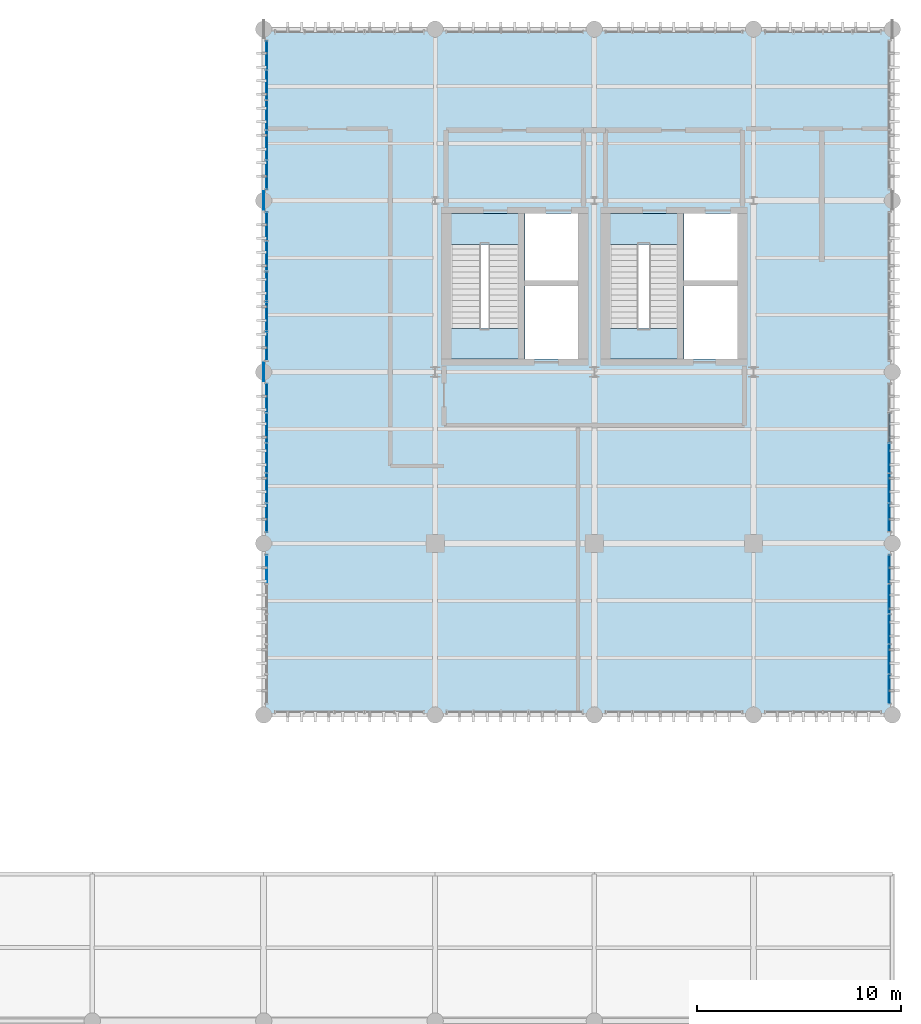
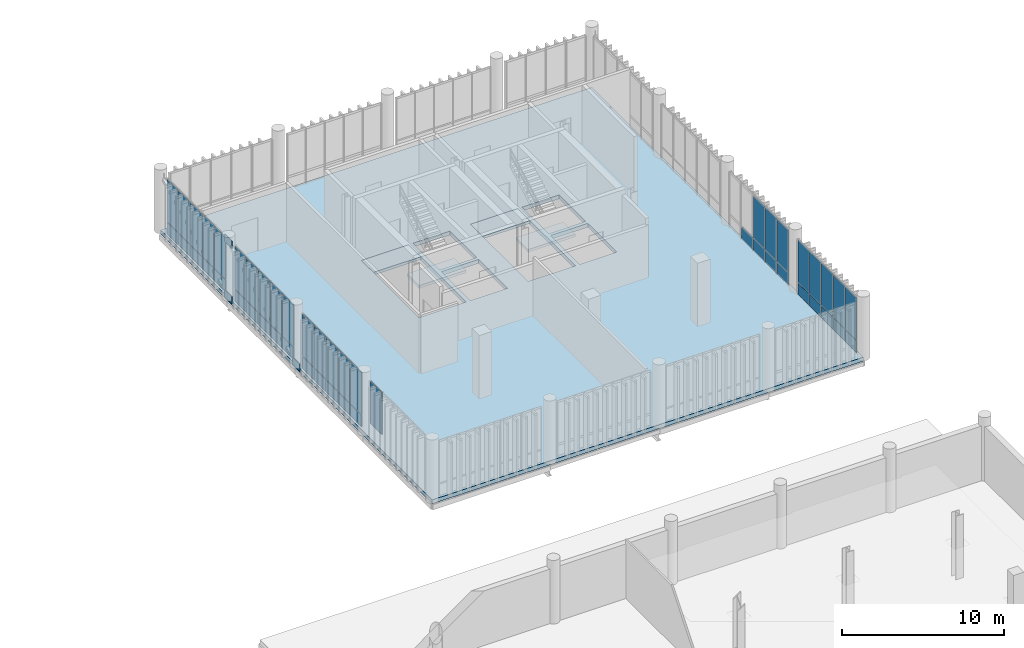
# One storey, part 86 of 109: 51 plates, 5 slabs, 8 elements without a shape of their own.
"""IFC4 building model written with IfcOpenShell, lengths in metres."""

from ifc_helpers import new_model, si_unit, direction, frame, frame_2d, origin_with_axes, origin_2d_with_axis, place, context, subcontext, project, spatial, polyline, rectangle, outline, extrude, material, layer, layer_set, type_object, element, aggregate, save


model = new_model("IFC4")

# Units and contexts
model_context = context("Model", 3, precision=1e-05, world=origin_with_axes(), true_north=direction((0.0, 1.0)))
body_context = subcontext(model_context, "Body", "Model", "MODEL_VIEW")
ifc_project = project(units=[si_unit("LENGTHUNIT", "METRE"), si_unit("AREAUNIT", "SQUARE_METRE"), si_unit("VOLUMEUNIT", "CUBIC_METRE"), si_unit("PLANEANGLEUNIT", "RADIAN"), si_unit("MASSUNIT", "GRAM", prefix="KILO"), si_unit("THERMODYNAMICTEMPERATUREUNIT", "KELVIN")], contexts=[model_context])

# Site, building, storey
site_placement = place(None, origin_with_axes())
site = spatial("IfcSite", under=ifc_project, at=site_placement, CompositionType="ELEMENT")
building_placement = place(site_placement, origin_with_axes())
building = spatial("IfcBuilding", under=site, at=building_placement, Name="Montbau Bow Law Courts", CompositionType="ELEMENT")
storey_placement = place(building_placement, frame((0.0, 0.0, 10.8), z_axis=(0.0, 0.0, 1.0), x_axis=(1.0, 0.0, 0.0)))
storey = spatial("IfcBuildingStorey", under=building, at=storey_placement, Name="L02", CompositionType="ELEMENT", Elevation=10.8)

# Curtain wall, plate
ifc_material_1 = material(Name="Thermally Broken Extruded Aluminium AA 6063-T6", Category="aluminium")
curtain_wall_type = type_object("IfcCurtainWallType", Name="CW-SLT-01", PredefinedType="NOTDEFINED", material=ifc_material_1)
curtain_wall_1_placement = place(None, frame((138.74, 70.115, 10.8), z_axis=(0.0, 0.0, 1.0), x_axis=(1.0, 0.0, 0.0)))
curtain_wall_1 = element("IfcCurtainWall", 1, at=curtain_wall_1_placement, inside=storey, type_object=curtain_wall_type, Name="CW-L02-301:cw_0301", PredefinedType="NOTDEFINED")
ifc_material_2 = material(Name="Triple-Glazed Low-E Argon Insulating Glass Unit", Category="glass")
ifc_layer_1 = layer(ifc_material_2, 0.044, Name="Curtain Panel", Category="glass")
ifc_layer_set_1 = layer_set([ifc_layer_1], Name="Triple-Glazed Low-E Argon Insulating Glass Unit")
plate_type_1 = type_object("IfcPlateType", Name="PL-CWP-01", PredefinedType="CURTAIN_PANEL", material=ifc_layer_set_1)
plate_1_placement = place(None, frame((138.74, 76.045, 11.78), z_axis=(1.0, 0.0, 0.0), x_axis=(0.0, 1.0, 0.0)))
plate_1 = element("IfcPlate", 2, at=plate_1_placement, type_object=plate_type_1, Name="CW-L02-301-P05-2:cw_0301_P05_2", PredefinedType="CURTAIN_PANEL", context=body_context, shape_type="SweptSolid", body=[
    extrude(rectangle(XDim=1.374, YDim=3.183, at=frame_2d((0.687, 1.5915), x_axis=(1.0, 0.0))), frame((0.0, 0.0, -0.022), z_axis=(0.0, 0.0, 1.0), x_axis=(1.0, 0.0, 0.0)), (0.0, 0.0, 1.0), 0.044),
])
aggregate(curtain_wall_1, [plate_1])

# Curtain wall, plates
curtain_wall_2_placement = place(None, frame((138.74, 78.515, 10.8), z_axis=(0.0, 0.0, 1.0), x_axis=(1.0, 0.0, 0.0)))
curtain_wall_2 = element("IfcCurtainWall", 3, at=curtain_wall_2_placement, inside=storey, type_object=curtain_wall_type, Name="CW-L02-302:cw_0302", PredefinedType="NOTDEFINED")
plate_2_placement = place(None, frame((138.74, 78.577, 11.782), z_axis=(1.0, 0.0, 0.0), x_axis=(0.0, 1.0, 0.0)))
plate_2 = element("IfcPlate", 4, at=plate_2_placement, type_object=plate_type_1, Name="CW-L02-302-P01-2:cw_0302_P01_2", PredefinedType="CURTAIN_PANEL", context=body_context, shape_type="SweptSolid", body=[
    extrude(rectangle(XDim=1.38, YDim=3.176, at=frame_2d((0.69, 1.588), x_axis=(1.0, 0.0))), frame((0.0, 0.0, -0.022), z_axis=(0.0, 0.0, 1.0), x_axis=(1.0, 0.0, 0.0)), (0.0, 0.0, 1.0), 0.044),
])
plate_3_placement = place(None, frame((138.74, 80.021, 11.782), z_axis=(1.0, 0.0, 0.0), x_axis=(0.0, 1.0, 0.0)))
plate_3 = element("IfcPlate", 5, at=plate_3_placement, type_object=plate_type_1, Name="CW-L02-302-P02-2:cw_0302_P02_2", PredefinedType="CURTAIN_PANEL", context=body_context, shape_type="SweptSolid", body=[
    extrude(rectangle(XDim=1.41, YDim=3.176, at=frame_2d((0.705, 1.588), x_axis=(1.0, 0.0))), frame((0.0, 0.0, -0.022), z_axis=(0.0, 0.0, 1.0), x_axis=(1.0, 0.0, 0.0)), (0.0, 0.0, 1.0), 0.044),
])
plate_4_placement = place(None, frame((138.74, 81.495, 11.782), z_axis=(1.0, 0.0, 0.0), x_axis=(0.0, 1.0, 0.0)))
plate_4 = element("IfcPlate", 6, at=plate_4_placement, type_object=plate_type_1, Name="CW-L02-302-P03-2:cw_0302_P03_2", PredefinedType="CURTAIN_PANEL", context=body_context, shape_type="SweptSolid", body=[
    extrude(rectangle(XDim=1.41, YDim=3.176, at=frame_2d((0.705, 1.588), x_axis=(1.0, 0.0))), frame((0.0, 0.0, -0.022), z_axis=(0.0, 0.0, 1.0), x_axis=(1.0, 0.0, 0.0)), (0.0, 0.0, 1.0), 0.044),
])
plate_5_placement = place(None, frame((138.74, 82.969, 11.782), z_axis=(1.0, 0.0, 0.0), x_axis=(0.0, 1.0, 0.0)))
plate_5 = element("IfcPlate", 7, at=plate_5_placement, type_object=plate_type_1, Name="CW-L02-302-P04-2:cw_0302_P04_2", PredefinedType="CURTAIN_PANEL", context=body_context, shape_type="SweptSolid", body=[
    extrude(rectangle(XDim=1.41, YDim=3.176, at=frame_2d((0.705, 1.588), x_axis=(1.0, 0.0))), frame((0.0, 0.0, -0.022), z_axis=(0.0, 0.0, 1.0), x_axis=(1.0, 0.0, 0.0)), (0.0, 0.0, 1.0), 0.044),
])
plate_6_placement = place(None, frame((138.74, 84.443, 11.782), z_axis=(1.0, 0.0, 0.0), x_axis=(0.0, 1.0, 0.0)))
plate_6 = element("IfcPlate", 8, at=plate_6_placement, type_object=plate_type_1, Name="CW-L02-302-P05-2:cw_0302_P05_2", PredefinedType="CURTAIN_PANEL", context=body_context, shape_type="SweptSolid", body=[
    extrude(rectangle(XDim=1.38, YDim=3.176, at=frame_2d((0.69, 1.588), x_axis=(1.0, 0.0))), frame((0.0, 0.0, -0.022), z_axis=(0.0, 0.0, 1.0), x_axis=(1.0, 0.0, 0.0)), (0.0, 0.0, 1.0), 0.044),
])

curtain_wall_3_placement = place(None, frame((138.74, 86.915, 10.8), z_axis=(0.0, 0.0, 1.0), x_axis=(1.0, 0.0, 0.0)))
curtain_wall_3 = element("IfcCurtainWall", 9, at=curtain_wall_3_placement, inside=storey, type_object=curtain_wall_type, Name="CW-L02-303:cw_0303", PredefinedType="NOTDEFINED")
plate_7_placement = place(None, frame((138.74, 86.991, 11.78), z_axis=(1.0, 0.0, 0.0), x_axis=(0.0, 1.0, 0.0)))
plate_7 = element("IfcPlate", 10, at=plate_7_placement, type_object=plate_type_1, Name="CW-L02-303-P01-2:cw_0303_P01_2", PredefinedType="CURTAIN_PANEL", context=body_context, shape_type="SweptSolid", body=[
    extrude(rectangle(XDim=1.358, YDim=3.183, at=frame_2d((0.679, 1.5915), x_axis=(1.0, 0.0))), frame((0.0, 0.0, -0.022), z_axis=(0.0, 0.0, 1.0), x_axis=(1.0, 0.0, 0.0)), (0.0, 0.0, 1.0), 0.044),
])
plate_8_placement = place(None, frame((138.74, 88.429, 11.78), z_axis=(1.0, 0.0, 0.0), x_axis=(0.0, 1.0, 0.0)))
plate_8 = element("IfcPlate", 11, at=plate_8_placement, type_object=plate_type_1, Name="CW-L02-303-P02-2:cw_0303_P02_2", PredefinedType="CURTAIN_PANEL", context=body_context, shape_type="SweptSolid", body=[
    extrude(rectangle(XDim=1.395, YDim=3.183, at=frame_2d((0.6975, 1.5915), x_axis=(1.0, 0.0))), frame((0.0, 0.0, -0.022), z_axis=(0.0, 0.0, 1.0), x_axis=(1.0, 0.0, 0.0)), (0.0, 0.0, 1.0), 0.044),
])
plate_9_placement = place(None, frame((138.74, 89.902, 11.78), z_axis=(1.0, 0.0, 0.0), x_axis=(0.0, 1.0, 0.0)))
plate_9 = element("IfcPlate", 12, at=plate_9_placement, type_object=plate_type_1, Name="CW-L02-303-P03-2:cw_0303_P03_2", PredefinedType="CURTAIN_PANEL", context=body_context, shape_type="SweptSolid", body=[
    extrude(rectangle(XDim=1.396, YDim=3.183, at=frame_2d((0.698, 1.5915), x_axis=(1.0, 0.0))), frame((0.0, 0.0, -0.022), z_axis=(0.0, 0.0, 1.0), x_axis=(1.0, 0.0, 0.0)), (0.0, 0.0, 1.0), 0.044),
])
plate_10_placement = place(None, frame((138.74, 91.376, 11.78), z_axis=(1.0, 0.0, 0.0), x_axis=(0.0, 1.0, 0.0)))
plate_10 = element("IfcPlate", 13, at=plate_10_placement, type_object=plate_type_1, Name="CW-L02-303-P04-2:cw_0303_P04_2", PredefinedType="CURTAIN_PANEL", context=body_context, shape_type="SweptSolid", body=[
    extrude(rectangle(XDim=1.396, YDim=3.183, at=frame_2d((0.698, 1.5915), x_axis=(1.0, 0.0))), frame((0.0, 0.0, -0.022), z_axis=(0.0, 0.0, 1.0), x_axis=(1.0, 0.0, 0.0)), (0.0, 0.0, 1.0), 0.044),
])
plate_11_placement = place(None, frame((138.74, 92.85, 11.78), z_axis=(1.0, 0.0, 0.0), x_axis=(0.0, 1.0, 0.0)))
plate_11 = element("IfcPlate", 14, at=plate_11_placement, type_object=plate_type_1, Name="CW-L02-303-P05-2:cw_0303_P05_2", PredefinedType="CURTAIN_PANEL", context=body_context, shape_type="SweptSolid", body=[
    extrude(rectangle(XDim=1.358, YDim=3.183, at=frame_2d((0.679, 1.5915), x_axis=(1.0, 0.0))), frame((0.0, 0.0, -0.022), z_axis=(0.0, 0.0, 1.0), x_axis=(1.0, 0.0, 0.0)), (0.0, 0.0, 1.0), 0.044),
])

curtain_wall_4_placement = place(None, frame((138.74, 95.315, 10.8), z_axis=(0.0, 0.0, 1.0), x_axis=(1.0, 0.0, 0.0)))
curtain_wall_4 = element("IfcCurtainWall", 15, at=curtain_wall_4_placement, inside=storey, type_object=curtain_wall_type, Name="CW-L02-304:cw_0304", PredefinedType="NOTDEFINED")
plate_12_placement = place(None, frame((138.74, 95.383, 11.782), z_axis=(1.0, 0.0, 0.0), x_axis=(0.0, 1.0, 0.0)))
plate_12 = element("IfcPlate", 16, at=plate_12_placement, type_object=plate_type_1, Name="CW-L02-304-P01-2:cw_0304_P01_2", PredefinedType="CURTAIN_PANEL", context=body_context, shape_type="SweptSolid", body=[
    extrude(rectangle(XDim=1.372, YDim=3.176, at=frame_2d((0.686, 1.588), x_axis=(1.0, 0.0))), frame((0.0, 0.0, -0.022), z_axis=(0.0, 0.0, 1.0), x_axis=(1.0, 0.0, 0.0)), (0.0, 0.0, 1.0), 0.044),
])
plate_13_placement = place(None, frame((138.74, 96.823, 11.782), z_axis=(1.0, 0.0, 0.0), x_axis=(0.0, 1.0, 0.0)))
plate_13 = element("IfcPlate", 17, at=plate_13_placement, type_object=plate_type_1, Name="CW-L02-304-P02-2:cw_0304_P02_2", PredefinedType="CURTAIN_PANEL", context=body_context, shape_type="SweptSolid", body=[
    extrude(rectangle(XDim=1.405, YDim=3.176, at=frame_2d((0.7025, 1.588), x_axis=(1.0, 0.0))), frame((0.0, 0.0, -0.022), z_axis=(0.0, 0.0, 1.0), x_axis=(1.0, 0.0, 0.0)), (0.0, 0.0, 1.0), 0.044),
])
plate_14_placement = place(None, frame((138.74, 98.297, 11.782), z_axis=(1.0, 0.0, 0.0), x_axis=(0.0, 1.0, 0.0)))
plate_14 = element("IfcPlate", 18, at=plate_14_placement, type_object=plate_type_1, Name="CW-L02-304-P03-2:cw_0304_P03_2", PredefinedType="CURTAIN_PANEL", context=body_context, shape_type="SweptSolid", body=[
    extrude(rectangle(XDim=1.406, YDim=3.176, at=frame_2d((0.703, 1.588), x_axis=(1.0, 0.0))), frame((0.0, 0.0, -0.022), z_axis=(0.0, 0.0, 1.0), x_axis=(1.0, 0.0, 0.0)), (0.0, 0.0, 1.0), 0.044),
])
plate_15_placement = place(None, frame((138.74, 99.771, 11.782), z_axis=(1.0, 0.0, 0.0), x_axis=(0.0, 1.0, 0.0)))
plate_15 = element("IfcPlate", 19, at=plate_15_placement, type_object=plate_type_1, Name="CW-L02-304-P04-2:cw_0304_P04_2", PredefinedType="CURTAIN_PANEL", context=body_context, shape_type="SweptSolid", body=[
    extrude(rectangle(XDim=1.406, YDim=3.176, at=frame_2d((0.703, 1.588), x_axis=(1.0, 0.0))), frame((0.0, 0.0, -0.022), z_axis=(0.0, 0.0, 1.0), x_axis=(1.0, 0.0, 0.0)), (0.0, 0.0, 1.0), 0.044),
])
plate_16_placement = place(None, frame((138.74, 101.245, 11.782), z_axis=(1.0, 0.0, 0.0), x_axis=(0.0, 1.0, 0.0)))
plate_16 = element("IfcPlate", 20, at=plate_16_placement, type_object=plate_type_1, Name="CW-L02-304-P05-2:cw_0304_P05_2", PredefinedType="CURTAIN_PANEL", context=body_context, shape_type="SweptSolid", body=[
    extrude(rectangle(XDim=1.374, YDim=3.176, at=frame_2d((0.687, 1.588), x_axis=(1.0, 0.0))), frame((0.0, 0.0, -0.022), z_axis=(0.0, 0.0, 1.0), x_axis=(1.0, 0.0, 0.0)), (0.0, 0.0, 1.0), 0.044),
])

curtain_wall_5_placement = place(None, frame((169.26, 70.115, 10.8), z_axis=(0.0, 0.0, 1.0), x_axis=(1.0, 0.0, 0.0)))
curtain_wall_5 = element("IfcCurtainWall", 21, at=curtain_wall_5_placement, inside=storey, type_object=curtain_wall_type, Name="CW-L02-305:cw_0305", PredefinedType="NOTDEFINED")
plate_17_placement = place(None, frame((169.26, 70.177, 11.78), z_axis=(1.0, 0.0, 0.0), x_axis=(0.0, 1.0, 0.0)))
plate_17 = element("IfcPlate", 22, at=plate_17_placement, type_object=plate_type_1, Name="CW-L02-305-P01-2:cw_0305_P01_2", PredefinedType="CURTAIN_PANEL", context=body_context, shape_type="SweptSolid", body=[
    extrude(rectangle(XDim=1.38, YDim=3.183, at=frame_2d((0.69, 1.5915), x_axis=(1.0, 0.0))), frame((0.0, 0.0, -0.022), z_axis=(0.0, 0.0, 1.0), x_axis=(1.0, 0.0, 0.0)), (0.0, 0.0, 1.0), 0.044),
])
plate_18_placement = place(None, frame((169.26, 71.621, 11.78), z_axis=(1.0, 0.0, 0.0), x_axis=(0.0, 1.0, 0.0)))
plate_18 = element("IfcPlate", 23, at=plate_18_placement, type_object=plate_type_1, Name="CW-L02-305-P02-2:cw_0305_P02_2", PredefinedType="CURTAIN_PANEL", context=body_context, shape_type="SweptSolid", body=[
    extrude(rectangle(XDim=1.41, YDim=3.183, at=frame_2d((0.705, 1.5915), x_axis=(1.0, 0.0))), frame((0.0, 0.0, -0.022), z_axis=(0.0, 0.0, 1.0), x_axis=(1.0, 0.0, 0.0)), (0.0, 0.0, 1.0), 0.044),
])
plate_19_placement = place(None, frame((169.26, 73.095, 11.78), z_axis=(1.0, 0.0, 0.0), x_axis=(0.0, 1.0, 0.0)))
plate_19 = element("IfcPlate", 24, at=plate_19_placement, type_object=plate_type_1, Name="CW-L02-305-P03-2:cw_0305_P03_2", PredefinedType="CURTAIN_PANEL", context=body_context, shape_type="SweptSolid", body=[
    extrude(rectangle(XDim=1.41, YDim=3.183, at=frame_2d((0.705, 1.5915), x_axis=(1.0, 0.0))), frame((0.0, 0.0, -0.022), z_axis=(0.0, 0.0, 1.0), x_axis=(1.0, 0.0, 0.0)), (0.0, 0.0, 1.0), 0.044),
])
plate_20_placement = place(None, frame((169.26, 74.569, 11.78), z_axis=(1.0, 0.0, 0.0), x_axis=(0.0, 1.0, 0.0)))
plate_20 = element("IfcPlate", 25, at=plate_20_placement, type_object=plate_type_1, Name="CW-L02-305-P04-2:cw_0305_P04_2", PredefinedType="CURTAIN_PANEL", context=body_context, shape_type="SweptSolid", body=[
    extrude(rectangle(XDim=1.41, YDim=3.183, at=frame_2d((0.705, 1.5915), x_axis=(1.0, 0.0))), frame((0.0, 0.0, -0.022), z_axis=(0.0, 0.0, 1.0), x_axis=(1.0, 0.0, 0.0)), (0.0, 0.0, 1.0), 0.044),
])
plate_21_placement = place(None, frame((169.26, 76.043, 11.78), z_axis=(1.0, 0.0, 0.0), x_axis=(0.0, 1.0, 0.0)))
plate_21 = element("IfcPlate", 26, at=plate_21_placement, type_object=plate_type_1, Name="CW-L02-305-P05-2:cw_0305_P05_2", PredefinedType="CURTAIN_PANEL", context=body_context, shape_type="SweptSolid", body=[
    extrude(rectangle(XDim=1.38, YDim=3.183, at=frame_2d((0.69, 1.5915), x_axis=(1.0, 0.0))), frame((0.0, 0.0, -0.022), z_axis=(0.0, 0.0, 1.0), x_axis=(1.0, 0.0, 0.0)), (0.0, 0.0, 1.0), 0.044),
])

curtain_wall_6_placement = place(None, frame((169.26, 78.515, 10.8), z_axis=(0.0, 0.0, 1.0), x_axis=(1.0, 0.0, 0.0)))
curtain_wall_6 = element("IfcCurtainWall", 27, at=curtain_wall_6_placement, inside=storey, type_object=curtain_wall_type, Name="CW-L02-306:cw_0306", PredefinedType="NOTDEFINED")
plate_22_placement = place(None, frame((169.26, 78.591, 11.782), z_axis=(1.0, 0.0, 0.0), x_axis=(0.0, 1.0, 0.0)))
plate_22 = element("IfcPlate", 28, at=plate_22_placement, type_object=plate_type_1, Name="CW-L02-306-P01-2:cw_0306_P01_2", PredefinedType="CURTAIN_PANEL", context=body_context, shape_type="SweptSolid", body=[
    extrude(rectangle(XDim=1.358, YDim=3.176, at=frame_2d((0.679, 1.588), x_axis=(1.0, 0.0))), frame((0.0, 0.0, -0.022), z_axis=(0.0, 0.0, 1.0), x_axis=(1.0, 0.0, 0.0)), (0.0, 0.0, 1.0), 0.044),
])
plate_23_placement = place(None, frame((169.26, 80.029, 11.782), z_axis=(1.0, 0.0, 0.0), x_axis=(0.0, 1.0, 0.0)))
plate_23 = element("IfcPlate", 29, at=plate_23_placement, type_object=plate_type_1, Name="CW-L02-306-P02-2:cw_0306_P02_2", PredefinedType="CURTAIN_PANEL", context=body_context, shape_type="SweptSolid", body=[
    extrude(rectangle(XDim=1.395, YDim=3.176, at=frame_2d((0.6975, 1.588), x_axis=(1.0, 0.0))), frame((0.0, 0.0, -0.022), z_axis=(0.0, 0.0, 1.0), x_axis=(1.0, 0.0, 0.0)), (0.0, 0.0, 1.0), 0.044),
])
plate_24_placement = place(None, frame((169.26, 81.502, 11.782), z_axis=(1.0, 0.0, 0.0), x_axis=(0.0, 1.0, 0.0)))
plate_24 = element("IfcPlate", 30, at=plate_24_placement, type_object=plate_type_1, Name="CW-L02-306-P03-2:cw_0306_P03_2", PredefinedType="CURTAIN_PANEL", context=body_context, shape_type="SweptSolid", body=[
    extrude(rectangle(XDim=1.396, YDim=3.176, at=frame_2d((0.698, 1.588), x_axis=(1.0, 0.0))), frame((0.0, 0.0, -0.022), z_axis=(0.0, 0.0, 1.0), x_axis=(1.0, 0.0, 0.0)), (0.0, 0.0, 1.0), 0.044),
])

# Plate
ifc_material_3 = material(Name="Insulated Ceramic-Frit Spandrel Glazing Unit", Category="glass")
ifc_layer_2 = layer(ifc_material_3, 0.056, Name="Curtain Panel", Category="glass")
ifc_layer_set_2 = layer_set([ifc_layer_2], Name="Insulated Ceramic-Frit Spandrel Glazing Unit")
plate_type_2 = type_object("IfcPlateType", Name="PL-CWP-02", PredefinedType="CURTAIN_PANEL", material=ifc_layer_set_2)
plate_25_placement = place(None, frame((138.74, 78.577, 10.862), z_axis=(1.0, 0.0, 0.0), x_axis=(0.0, 1.0, 0.0)))
plate_25 = element("IfcPlate", 31, at=plate_25_placement, type_object=plate_type_2, Name="CW-L02-302-P01-1:cw_0302_P01_1", PredefinedType="CURTAIN_PANEL", context=body_context, shape_type="SweptSolid", body=[
    extrude(rectangle(XDim=1.38, YDim=0.856, at=frame_2d((0.69, 0.428), x_axis=(1.0, 0.0))), frame((0.0, 0.0, -0.028), z_axis=(0.0, 0.0, 1.0), x_axis=(1.0, 0.0, 0.0)), (0.0, 0.0, 1.0), 0.056),
])

plate_26_placement = place(None, frame((138.74, 80.021, 10.862), z_axis=(1.0, 0.0, 0.0), x_axis=(0.0, 1.0, 0.0)))
plate_26 = element("IfcPlate", 32, at=plate_26_placement, type_object=plate_type_2, Name="CW-L02-302-P02-1:cw_0302_P02_1", PredefinedType="CURTAIN_PANEL", context=body_context, shape_type="SweptSolid", body=[
    extrude(rectangle(XDim=1.41, YDim=0.856, at=frame_2d((0.705, 0.428), x_axis=(1.0, 0.0))), frame((0.0, 0.0, -0.028), z_axis=(0.0, 0.0, 1.0), x_axis=(1.0, 0.0, 0.0)), (0.0, 0.0, 1.0), 0.056),
])

plate_27_placement = place(None, frame((138.74, 81.495, 10.862), z_axis=(1.0, 0.0, 0.0), x_axis=(0.0, 1.0, 0.0)))
plate_27 = element("IfcPlate", 33, at=plate_27_placement, type_object=plate_type_2, Name="CW-L02-302-P03-1:cw_0302_P03_1", PredefinedType="CURTAIN_PANEL", context=body_context, shape_type="SweptSolid", body=[
    extrude(rectangle(XDim=1.41, YDim=0.856, at=frame_2d((0.705, 0.428), x_axis=(1.0, 0.0))), frame((0.0, 0.0, -0.028), z_axis=(0.0, 0.0, 1.0), x_axis=(1.0, 0.0, 0.0)), (0.0, 0.0, 1.0), 0.056),
])

plate_28_placement = place(None, frame((138.74, 82.969, 10.862), z_axis=(1.0, 0.0, 0.0), x_axis=(0.0, 1.0, 0.0)))
plate_28 = element("IfcPlate", 34, at=plate_28_placement, type_object=plate_type_2, Name="CW-L02-302-P04-1:cw_0302_P04_1", PredefinedType="CURTAIN_PANEL", context=body_context, shape_type="SweptSolid", body=[
    extrude(rectangle(XDim=1.41, YDim=0.856, at=frame_2d((0.705, 0.428), x_axis=(1.0, 0.0))), frame((0.0, 0.0, -0.028), z_axis=(0.0, 0.0, 1.0), x_axis=(1.0, 0.0, 0.0)), (0.0, 0.0, 1.0), 0.056),
])

plate_29_placement = place(None, frame((138.74, 84.443, 10.862), z_axis=(1.0, 0.0, 0.0), x_axis=(0.0, 1.0, 0.0)))
plate_29 = element("IfcPlate", 35, at=plate_29_placement, type_object=plate_type_2, Name="CW-L02-302-P05-1:cw_0302_P05_1", PredefinedType="CURTAIN_PANEL", context=body_context, shape_type="SweptSolid", body=[
    extrude(rectangle(XDim=1.38, YDim=0.856, at=frame_2d((0.69, 0.428), x_axis=(1.0, 0.0))), frame((0.0, 0.0, -0.028), z_axis=(0.0, 0.0, 1.0), x_axis=(1.0, 0.0, 0.0)), (0.0, 0.0, 1.0), 0.056),
])

aggregate(curtain_wall_2, [plate_25, plate_2, plate_26, plate_3, plate_27, plate_4, plate_28, plate_5, plate_29, plate_6])

plate_30_placement = place(None, frame((138.74, 86.991, 10.857), z_axis=(1.0, 0.0, 0.0), x_axis=(0.0, 1.0, 0.0)))
plate_30 = element("IfcPlate", 36, at=plate_30_placement, type_object=plate_type_2, Name="CW-L02-303-P01-1:cw_0303_P01_1", PredefinedType="CURTAIN_PANEL", context=body_context, shape_type="SweptSolid", body=[
    extrude(rectangle(XDim=1.358, YDim=0.863, at=frame_2d((0.679, 0.4315), x_axis=(1.0, 0.0))), frame((0.0, 0.0, -0.028), z_axis=(0.0, 0.0, 1.0), x_axis=(1.0, 0.0, 0.0)), (0.0, 0.0, 1.0), 0.056),
])

plate_31_placement = place(None, frame((138.74, 88.429, 10.857), z_axis=(1.0, 0.0, 0.0), x_axis=(0.0, 1.0, 0.0)))
plate_31 = element("IfcPlate", 37, at=plate_31_placement, type_object=plate_type_2, Name="CW-L02-303-P02-1:cw_0303_P02_1", PredefinedType="CURTAIN_PANEL", context=body_context, shape_type="SweptSolid", body=[
    extrude(rectangle(XDim=1.395, YDim=0.863, at=frame_2d((0.6975, 0.4315), x_axis=(1.0, 0.0))), frame((0.0, 0.0, -0.028), z_axis=(0.0, 0.0, 1.0), x_axis=(1.0, 0.0, 0.0)), (0.0, 0.0, 1.0), 0.056),
])

plate_32_placement = place(None, frame((138.74, 89.902, 10.857), z_axis=(1.0, 0.0, 0.0), x_axis=(0.0, 1.0, 0.0)))
plate_32 = element("IfcPlate", 38, at=plate_32_placement, type_object=plate_type_2, Name="CW-L02-303-P03-1:cw_0303_P03_1", PredefinedType="CURTAIN_PANEL", context=body_context, shape_type="SweptSolid", body=[
    extrude(rectangle(XDim=1.396, YDim=0.863, at=frame_2d((0.698, 0.4315), x_axis=(1.0, 0.0))), frame((0.0, 0.0, -0.028), z_axis=(0.0, 0.0, 1.0), x_axis=(1.0, 0.0, 0.0)), (0.0, 0.0, 1.0), 0.056),
])

plate_33_placement = place(None, frame((138.74, 91.376, 10.857), z_axis=(1.0, 0.0, 0.0), x_axis=(0.0, 1.0, 0.0)))
plate_33 = element("IfcPlate", 39, at=plate_33_placement, type_object=plate_type_2, Name="CW-L02-303-P04-1:cw_0303_P04_1", PredefinedType="CURTAIN_PANEL", context=body_context, shape_type="SweptSolid", body=[
    extrude(rectangle(XDim=1.396, YDim=0.863, at=frame_2d((0.698, 0.4315), x_axis=(1.0, 0.0))), frame((0.0, 0.0, -0.028), z_axis=(0.0, 0.0, 1.0), x_axis=(1.0, 0.0, 0.0)), (0.0, 0.0, 1.0), 0.056),
])

plate_34_placement = place(None, frame((138.74, 92.85, 10.857), z_axis=(1.0, 0.0, 0.0), x_axis=(0.0, 1.0, 0.0)))
plate_34 = element("IfcPlate", 40, at=plate_34_placement, type_object=plate_type_2, Name="CW-L02-303-P05-1:cw_0303_P05_1", PredefinedType="CURTAIN_PANEL", context=body_context, shape_type="SweptSolid", body=[
    extrude(rectangle(XDim=1.358, YDim=0.863, at=frame_2d((0.679, 0.4315), x_axis=(1.0, 0.0))), frame((0.0, 0.0, -0.028), z_axis=(0.0, 0.0, 1.0), x_axis=(1.0, 0.0, 0.0)), (0.0, 0.0, 1.0), 0.056),
])

aggregate(curtain_wall_3, [plate_30, plate_7, plate_31, plate_8, plate_32, plate_9, plate_33, plate_10, plate_34, plate_11])

plate_35_placement = place(None, frame((138.74, 95.383, 10.862), z_axis=(1.0, 0.0, 0.0), x_axis=(0.0, 1.0, 0.0)))
plate_35 = element("IfcPlate", 41, at=plate_35_placement, type_object=plate_type_2, Name="CW-L02-304-P01-1:cw_0304_P01_1", PredefinedType="CURTAIN_PANEL", context=body_context, shape_type="SweptSolid", body=[
    extrude(rectangle(XDim=1.372, YDim=0.856, at=frame_2d((0.686, 0.428), x_axis=(1.0, 0.0))), frame((0.0, 0.0, -0.028), z_axis=(0.0, 0.0, 1.0), x_axis=(1.0, 0.0, 0.0)), (0.0, 0.0, 1.0), 0.056),
])

plate_36_placement = place(None, frame((138.74, 96.823, 10.862), z_axis=(1.0, 0.0, 0.0), x_axis=(0.0, 1.0, 0.0)))
plate_36 = element("IfcPlate", 42, at=plate_36_placement, type_object=plate_type_2, Name="CW-L02-304-P02-1:cw_0304_P02_1", PredefinedType="CURTAIN_PANEL", context=body_context, shape_type="SweptSolid", body=[
    extrude(rectangle(XDim=1.405, YDim=0.856, at=frame_2d((0.7025, 0.428), x_axis=(1.0, 0.0))), frame((0.0, 0.0, -0.028), z_axis=(0.0, 0.0, 1.0), x_axis=(1.0, 0.0, 0.0)), (0.0, 0.0, 1.0), 0.056),
])

plate_37_placement = place(None, frame((138.74, 98.297, 10.862), z_axis=(1.0, 0.0, 0.0), x_axis=(0.0, 1.0, 0.0)))
plate_37 = element("IfcPlate", 43, at=plate_37_placement, type_object=plate_type_2, Name="CW-L02-304-P03-1:cw_0304_P03_1", PredefinedType="CURTAIN_PANEL", context=body_context, shape_type="SweptSolid", body=[
    extrude(rectangle(XDim=1.406, YDim=0.856, at=frame_2d((0.703, 0.428), x_axis=(1.0, 0.0))), frame((0.0, 0.0, -0.028), z_axis=(0.0, 0.0, 1.0), x_axis=(1.0, 0.0, 0.0)), (0.0, 0.0, 1.0), 0.056),
])

plate_38_placement = place(None, frame((138.74, 99.771, 10.862), z_axis=(1.0, 0.0, 0.0), x_axis=(0.0, 1.0, 0.0)))
plate_38 = element("IfcPlate", 44, at=plate_38_placement, type_object=plate_type_2, Name="CW-L02-304-P04-1:cw_0304_P04_1", PredefinedType="CURTAIN_PANEL", context=body_context, shape_type="SweptSolid", body=[
    extrude(rectangle(XDim=1.406, YDim=0.856, at=frame_2d((0.703, 0.428), x_axis=(1.0, 0.0))), frame((0.0, 0.0, -0.028), z_axis=(0.0, 0.0, 1.0), x_axis=(1.0, 0.0, 0.0)), (0.0, 0.0, 1.0), 0.056),
])

plate_39_placement = place(None, frame((138.74, 101.245, 10.862), z_axis=(1.0, 0.0, 0.0), x_axis=(0.0, 1.0, 0.0)))
plate_39 = element("IfcPlate", 45, at=plate_39_placement, type_object=plate_type_2, Name="CW-L02-304-P05-1:cw_0304_P05_1", PredefinedType="CURTAIN_PANEL", context=body_context, shape_type="SweptSolid", body=[
    extrude(rectangle(XDim=1.374, YDim=0.856, at=frame_2d((0.687, 0.428), x_axis=(1.0, 0.0))), frame((0.0, 0.0, -0.028), z_axis=(0.0, 0.0, 1.0), x_axis=(1.0, 0.0, 0.0)), (0.0, 0.0, 1.0), 0.056),
])

aggregate(curtain_wall_4, [plate_35, plate_12, plate_36, plate_13, plate_37, plate_14, plate_38, plate_15, plate_39, plate_16])

plate_40_placement = place(None, frame((169.26, 70.177, 10.857), z_axis=(1.0, 0.0, 0.0), x_axis=(0.0, 1.0, 0.0)))
plate_40 = element("IfcPlate", 46, at=plate_40_placement, type_object=plate_type_2, Name="CW-L02-305-P01-1:cw_0305_P01_1", PredefinedType="CURTAIN_PANEL", context=body_context, shape_type="SweptSolid", body=[
    extrude(rectangle(XDim=1.38, YDim=0.863, at=frame_2d((0.69, 0.4315), x_axis=(1.0, 0.0))), frame((0.0, 0.0, -0.028), z_axis=(0.0, 0.0, 1.0), x_axis=(1.0, 0.0, 0.0)), (0.0, 0.0, 1.0), 0.056),
])

plate_41_placement = place(None, frame((169.26, 71.621, 10.857), z_axis=(1.0, 0.0, 0.0), x_axis=(0.0, 1.0, 0.0)))
plate_41 = element("IfcPlate", 47, at=plate_41_placement, type_object=plate_type_2, Name="CW-L02-305-P02-1:cw_0305_P02_1", PredefinedType="CURTAIN_PANEL", context=body_context, shape_type="SweptSolid", body=[
    extrude(rectangle(XDim=1.41, YDim=0.863, at=frame_2d((0.705, 0.4315), x_axis=(1.0, 0.0))), frame((0.0, 0.0, -0.028), z_axis=(0.0, 0.0, 1.0), x_axis=(1.0, 0.0, 0.0)), (0.0, 0.0, 1.0), 0.056),
])

plate_42_placement = place(None, frame((169.26, 73.095, 10.857), z_axis=(1.0, 0.0, 0.0), x_axis=(0.0, 1.0, 0.0)))
plate_42 = element("IfcPlate", 48, at=plate_42_placement, type_object=plate_type_2, Name="CW-L02-305-P03-1:cw_0305_P03_1", PredefinedType="CURTAIN_PANEL", context=body_context, shape_type="SweptSolid", body=[
    extrude(rectangle(XDim=1.41, YDim=0.863, at=frame_2d((0.705, 0.4315), x_axis=(1.0, 0.0))), frame((0.0, 0.0, -0.028), z_axis=(0.0, 0.0, 1.0), x_axis=(1.0, 0.0, 0.0)), (0.0, 0.0, 1.0), 0.056),
])

plate_43_placement = place(None, frame((169.26, 74.569, 10.857), z_axis=(1.0, 0.0, 0.0), x_axis=(0.0, 1.0, 0.0)))
plate_43 = element("IfcPlate", 49, at=plate_43_placement, type_object=plate_type_2, Name="CW-L02-305-P04-1:cw_0305_P04_1", PredefinedType="CURTAIN_PANEL", context=body_context, shape_type="SweptSolid", body=[
    extrude(rectangle(XDim=1.41, YDim=0.863, at=frame_2d((0.705, 0.4315), x_axis=(1.0, 0.0))), frame((0.0, 0.0, -0.028), z_axis=(0.0, 0.0, 1.0), x_axis=(1.0, 0.0, 0.0)), (0.0, 0.0, 1.0), 0.056),
])

plate_44_placement = place(None, frame((169.26, 76.043, 10.857), z_axis=(1.0, 0.0, 0.0), x_axis=(0.0, 1.0, 0.0)))
plate_44 = element("IfcPlate", 50, at=plate_44_placement, type_object=plate_type_2, Name="CW-L02-305-P05-1:cw_0305_P05_1", PredefinedType="CURTAIN_PANEL", context=body_context, shape_type="SweptSolid", body=[
    extrude(rectangle(XDim=1.38, YDim=0.863, at=frame_2d((0.69, 0.4315), x_axis=(1.0, 0.0))), frame((0.0, 0.0, -0.028), z_axis=(0.0, 0.0, 1.0), x_axis=(1.0, 0.0, 0.0)), (0.0, 0.0, 1.0), 0.056),
])

aggregate(curtain_wall_5, [plate_40, plate_17, plate_41, plate_18, plate_42, plate_19, plate_43, plate_20, plate_44, plate_21])

plate_45_placement = place(None, frame((169.26, 78.591, 10.862), z_axis=(1.0, 0.0, 0.0), x_axis=(0.0, 1.0, 0.0)))
plate_45 = element("IfcPlate", 51, at=plate_45_placement, type_object=plate_type_2, Name="CW-L02-306-P01-1:cw_0306_P01_1", PredefinedType="CURTAIN_PANEL", context=body_context, shape_type="SweptSolid", body=[
    extrude(rectangle(XDim=1.358, YDim=0.856, at=frame_2d((0.679, 0.428), x_axis=(1.0, 0.0))), frame((0.0, 0.0, -0.028), z_axis=(0.0, 0.0, 1.0), x_axis=(1.0, 0.0, 0.0)), (0.0, 0.0, 1.0), 0.056),
])

plate_46_placement = place(None, frame((169.26, 80.029, 10.862), z_axis=(1.0, 0.0, 0.0), x_axis=(0.0, 1.0, 0.0)))
plate_46 = element("IfcPlate", 52, at=plate_46_placement, type_object=plate_type_2, Name="CW-L02-306-P02-1:cw_0306_P02_1", PredefinedType="CURTAIN_PANEL", context=body_context, shape_type="SweptSolid", body=[
    extrude(rectangle(XDim=1.395, YDim=0.856, at=frame_2d((0.6975, 0.428), x_axis=(1.0, 0.0))), frame((0.0, 0.0, -0.028), z_axis=(0.0, 0.0, 1.0), x_axis=(1.0, 0.0, 0.0)), (0.0, 0.0, 1.0), 0.056),
])

plate_47_placement = place(None, frame((169.26, 81.502, 10.862), z_axis=(1.0, 0.0, 0.0), x_axis=(0.0, 1.0, 0.0)))
plate_47 = element("IfcPlate", 53, at=plate_47_placement, type_object=plate_type_2, Name="CW-L02-306-P03-1:cw_0306_P03_1", PredefinedType="CURTAIN_PANEL", context=body_context, shape_type="SweptSolid", body=[
    extrude(rectangle(XDim=1.396, YDim=0.856, at=frame_2d((0.698, 0.428), x_axis=(1.0, 0.0))), frame((0.0, 0.0, -0.028), z_axis=(0.0, 0.0, 1.0), x_axis=(1.0, 0.0, 0.0)), (0.0, 0.0, 1.0), 0.056),
])

plate_48_placement = place(None, frame((169.26, 82.976, 10.862), z_axis=(1.0, 0.0, 0.0), x_axis=(0.0, 1.0, 0.0)))
plate_48 = element("IfcPlate", 54, at=plate_48_placement, type_object=plate_type_2, Name="CW-L02-306-P04-1:cw_0306_P04_1", PredefinedType="CURTAIN_PANEL", context=body_context, shape_type="SweptSolid", body=[
    extrude(rectangle(XDim=1.396, YDim=0.856, at=frame_2d((0.698, 0.428), x_axis=(1.0, 0.0))), frame((0.0, 0.0, -0.028), z_axis=(0.0, 0.0, 1.0), x_axis=(1.0, 0.0, 0.0)), (0.0, 0.0, 1.0), 0.056),
])

aggregate(curtain_wall_6, [plate_45, plate_22, plate_46, plate_23, plate_47, plate_24, plate_48])

# Plates
ifc_material_4 = material(Name="Steel CSA G40.21 Grade 350WT (350 MPa)", Category="steel")
ifc_layer_3 = layer(ifc_material_4, 0.032, Name="Gusset Plate", Category="steel")
ifc_layer_set_3 = layer_set([ifc_layer_3], Name="Steel CSA G40.21 Grade 350WT (350 MPa)")
plate_type_3 = type_object("IfcPlateType", Name="PL-GUS-01", PredefinedType="USERDEFINED", material=ifc_layer_set_3)
for number, where, z_axis, x_axis, name in (
    (55, (138.6, 86.4, 10.57), (0.0, 0.0, 1.0), (0.0, 1.0, 0.0), "BGP-L02-140:plt_0171"),
    (56, (138.6, 94.8, 14.777), (0.0, 0.0, 1.0), (0.0, 1.0, 0.0), "BGP-L02-141:plt_0172"),
    (57, (138.6, 94.8, 10.57), (0.0, 0.0, 1.0), (0.0, 1.0, 0.0), "BGP-L02-154:plt_0185"),
):
    element("IfcPlate", number, at=place(None, frame(where, z_axis=z_axis, x_axis=x_axis)), inside=storey, type_object=plate_type_3, Name=name, ObjectType="GUSSET_PLATE", PredefinedType="USERDEFINED", context=body_context, shape_type="SweptSolid", body=[
        extrude(rectangle(XDim=0.9, YDim=0.032, at=origin_2d_with_axis()), origin_with_axes(), (0.0, 0.0, 1.0), 0.56),
    ])

# Slab
ifc_material_5 = material(Name="Concrete CSA A23.1 f'c 40 MPa", Category="concrete")
ifc_layer_4 = layer(ifc_material_5, 0.3, Name="Floor Slab", Category="concrete")
ifc_layer_set_4 = layer_set([ifc_layer_4], Name="Concrete CSA A23.1 f'c 40 MPa")
slab_type_1 = type_object("IfcSlabType", Name="SL-FLR-06", PredefinedType="FLOOR", material=ifc_layer_set_4)
slab_1_placement = place(None, frame((0.0, 0.0, 10.5), z_axis=(0.0, 0.0, 1.0), x_axis=(1.0, 0.0, 0.0)))
element("IfcSlab", 58, at=slab_1_placement, inside=storey, type_object=slab_type_1, Name="SL-V5-L02:slb_0027", PredefinedType="FLOOR", context=body_context, shape_type="SweptSolid", body=[
    extrude(outline(polyline([(138.6, 69.6), (169.4, 69.6), (169.4, 103.2), (138.6, 103.2), (138.6, 69.6)]), holes=[polyline([(147.72, 87.04), (151.1, 87.04), (151.1, 94.142), (147.72, 94.142), (147.72, 87.04)]), polyline([(151.4, 87.04), (154.05, 87.04), (154.05, 90.622), (151.4, 90.622), (151.4, 87.04)]), polyline([(151.4, 90.862), (154.05, 90.862), (154.05, 94.16), (151.4, 94.16), (151.4, 90.862)]), polyline([(155.52, 87.04), (158.9, 87.04), (158.9, 94.142), (155.52, 94.142), (155.52, 87.04)]), polyline([(159.2, 87.04), (161.85, 87.04), (161.85, 90.622), (159.2, 90.622), (159.2, 87.04)]), polyline([(159.2, 90.862), (161.85, 90.862), (161.85, 94.16), (159.2, 94.16), (159.2, 90.862)])]), origin_with_axes(), (0.0, 0.0, 1.0), 0.3),
])

# Stair, slabs
stair_type_1 = type_object("IfcStairType", Name="ST-PUB-1800", PredefinedType="HALF_TURN_STAIR", material=ifc_material_5)
stair_1_placement = place(None, frame((148.53, 92.7, 10.8), z_axis=(0.0, 0.0, 1.0), x_axis=(1.0, 0.0, 0.0)))
stair_1 = element("IfcStair", 59, at=stair_1_placement, inside=storey, type_object=stair_type_1, Name="ST-P2-L02:str_0036", PredefinedType="HALF_TURN_STAIR")
ifc_layer_5 = layer(ifc_material_5, 0.21, Name="Landing", Category="concrete")
ifc_layer_set_5 = layer_set([ifc_layer_5], Name="Concrete CSA A23.1 f'c 40 MPa")
slab_type_2 = type_object("IfcSlabType", Name="SL-LND-02", PredefinedType="LANDING", material=ifc_layer_set_5)
slab_2_placement = place(None, frame((0.0, 0.0, 10.59), z_axis=(0.0, 0.0, 1.0), x_axis=(1.0, 0.0, 0.0)))
slab_2 = element("IfcSlab", 60, at=slab_2_placement, type_object=slab_type_2, Name="ST-P2-L02-LB:str_0036_LB", PredefinedType="LANDING", context=body_context, shape_type="SweptSolid", body=[
    extrude(outline(polyline([(147.72, 92.66), (151.1, 92.66), (151.1, 94.16), (147.72, 94.16), (147.72, 92.66)])), origin_with_axes(), (0.0, 0.0, 1.0), 0.21),
])
slab_3_placement = place(None, frame((0.0, 0.0, 12.99), z_axis=(0.0, 0.0, 1.0), x_axis=(1.0, 0.0, 0.0)))
slab_3 = element("IfcSlab", 61, at=slab_3_placement, type_object=slab_type_2, Name="ST-P2-L02-LM:str_0036_LM", PredefinedType="LANDING", context=body_context, shape_type="SweptSolid", body=[
    extrude(outline(polyline([(147.72, 87.04), (151.1, 87.04), (151.1, 88.54), (147.72, 88.54), (147.72, 87.04)])), origin_with_axes(), (0.0, 0.0, 1.0), 0.21),
])
aggregate(stair_1, [slab_2, slab_3])

stair_type_2 = type_object("IfcStairType", Name="ST-JUD-1500", PredefinedType="HALF_TURN_STAIR", material=ifc_material_5)
stair_2_placement = place(None, frame((156.29, 92.7, 10.8), z_axis=(0.0, 0.0, 1.0), x_axis=(1.0, 0.0, 0.0)))
stair_2 = element("IfcStair", 62, at=stair_2_placement, inside=storey, type_object=stair_type_2, Name="ST-J2-L02:str_0047", PredefinedType="HALF_TURN_STAIR")
slab_4_placement = place(None, frame((0.0, 0.0, 10.59), z_axis=(0.0, 0.0, 1.0), x_axis=(1.0, 0.0, 0.0)))
slab_4 = element("IfcSlab", 63, at=slab_4_placement, type_object=slab_type_2, Name="ST-J2-L02-LB:str_0047_LB", PredefinedType="LANDING", context=body_context, shape_type="SweptSolid", body=[
    extrude(outline(polyline([(155.52, 92.66), (158.9, 92.66), (158.9, 94.16), (155.52, 94.16), (155.52, 92.66)])), origin_with_axes(), (0.0, 0.0, 1.0), 0.21),
])
slab_5_placement = place(None, frame((0.0, 0.0, 12.99), z_axis=(0.0, 0.0, 1.0), x_axis=(1.0, 0.0, 0.0)))
slab_5 = element("IfcSlab", 64, at=slab_5_placement, type_object=slab_type_2, Name="ST-J2-L02-LM:str_0047_LM", PredefinedType="LANDING", context=body_context, shape_type="SweptSolid", body=[
    extrude(outline(polyline([(155.52, 87.04), (158.9, 87.04), (158.9, 88.54), (155.52, 88.54), (155.52, 87.04)])), origin_with_axes(), (0.0, 0.0, 1.0), 0.21),
])
aggregate(stair_2, [slab_4, slab_5])

save(model, "model.ifc")
